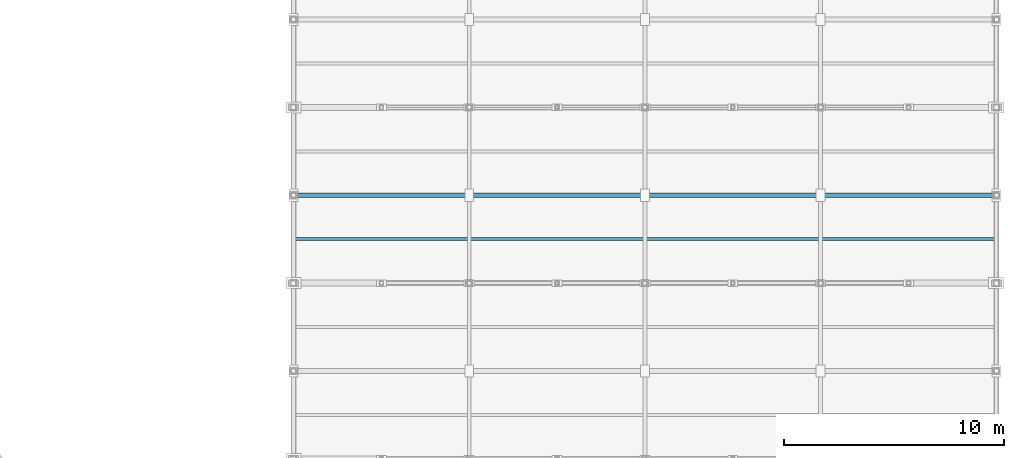
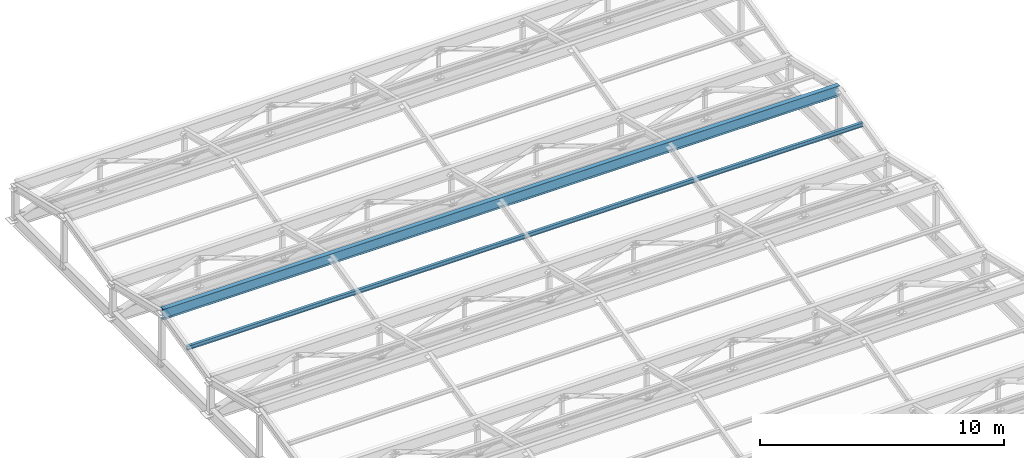
# One storey, part 58 of 112: 2 members.
"""IFC4 building model written with IfcOpenShell, lengths in metres."""

from ifc_helpers import new_model, si_unit, direction, frame, origin, origin_2d, place, context, subcontext, project, spatial, i_section, extrude, material, material_profile, profile_set, type_object, element, save


model = new_model("IFC4")

# Units and contexts
model_context = context("Model", 3, precision=1e-05, world=origin(), true_north=direction((0.0, 1.0)))
body_context = subcontext(model_context, "Body", "Model", "MODEL_VIEW")
ifc_project = project(units=[si_unit("LENGTHUNIT", "METRE"), si_unit("AREAUNIT", "SQUARE_METRE"), si_unit("VOLUMEUNIT", "CUBIC_METRE"), si_unit("PLANEANGLEUNIT", "RADIAN"), si_unit("MASSUNIT", "GRAM", prefix="KILO")], contexts=[model_context])

# Site, building, storey
site_placement = place(None, origin())
site = spatial("IfcSite", under=ifc_project, at=site_placement, CompositionType="ELEMENT")
building_placement = place(site_placement, origin())
building = spatial("IfcBuilding", under=site, at=building_placement, Name="Celadon Cloister-Ring School", CompositionType="ELEMENT")
storey_placement = place(building_placement, frame((0.0, 0.0, 8.5)))
storey = spatial("IfcBuildingStorey", under=building, at=storey_placement, Name="L02", CompositionType="ELEMENT", Elevation=8.5)

# Members
ifc_material_1 = material(Name="Structural steel S355JR", Category="steel")
ifc_material_profile_1 = material_profile(ifc_material_1, i_section(OverallWidth=0.208984375, OverallDepth=0.529052734375, WebThickness=0.009765625, FlangeThickness=0.01318359375, at=origin_2d()), Name="W530X74")
ifc_profile_set_1 = profile_set([ifc_material_profile_1], Name="Structural steel S355JR")
member_type_1 = type_object("IfcMemberType", Name="MC-04", PredefinedType="CHORD", material=ifc_profile_set_1)
member_1_placement = place(storey_placement, frame((142.0, 102.0, 3.449951171875), z_axis=(1.0, 0.0, 0.0), x_axis=(0.0, 1.0, 0.0)))
element("IfcMember", 1, at=member_1_placement, inside=storey, type_object=member_type_1, Name="Structural Member 0554", PredefinedType="CHORD", context=body_context, shape_type="SweptSolid", body=[
    extrude(i_section(OverallWidth=0.208984375, OverallDepth=0.529052734375, WebThickness=0.009765625, FlangeThickness=0.01318359375, at=origin_2d()), origin(), (0.0, 0.0, 1.0), 32.0),
])
ifc_material_2 = material(Name="Structural steel S355JR", Category="steel")
ifc_material_profile_2 = material_profile(ifc_material_2, i_section(OverallWidth=0.133056640625, OverallDepth=0.20703125, WebThickness=0.005859375, FlangeThickness=0.00830078125, at=origin_2d()), Name="W200X27")
ifc_profile_set_2 = profile_set([ifc_material_profile_2], Name="Structural steel S355JR")
member_type_2 = type_object("IfcMemberType", Name="MP-04", PredefinedType="PURLIN", material=ifc_profile_set_2)
member_2_placement = place(storey_placement, frame((142.02001953125, 100.0, 2.949951171875), z_axis=(1.0, 0.0, 0.0), x_axis=(0.0, 1.0, 0.0)))
element("IfcMember", 2, at=member_2_placement, inside=storey, type_object=member_type_2, Name="Structural Member 0565", PredefinedType="PURLIN", context=body_context, shape_type="SweptSolid", body=[
    extrude(i_section(OverallWidth=0.133056640625, OverallDepth=0.20703125, WebThickness=0.005859375, FlangeThickness=0.00830078125, at=origin_2d()), origin(), (0.0, 0.0, 1.0), 31.9599609375),
])

save(model, "model.ifc")
